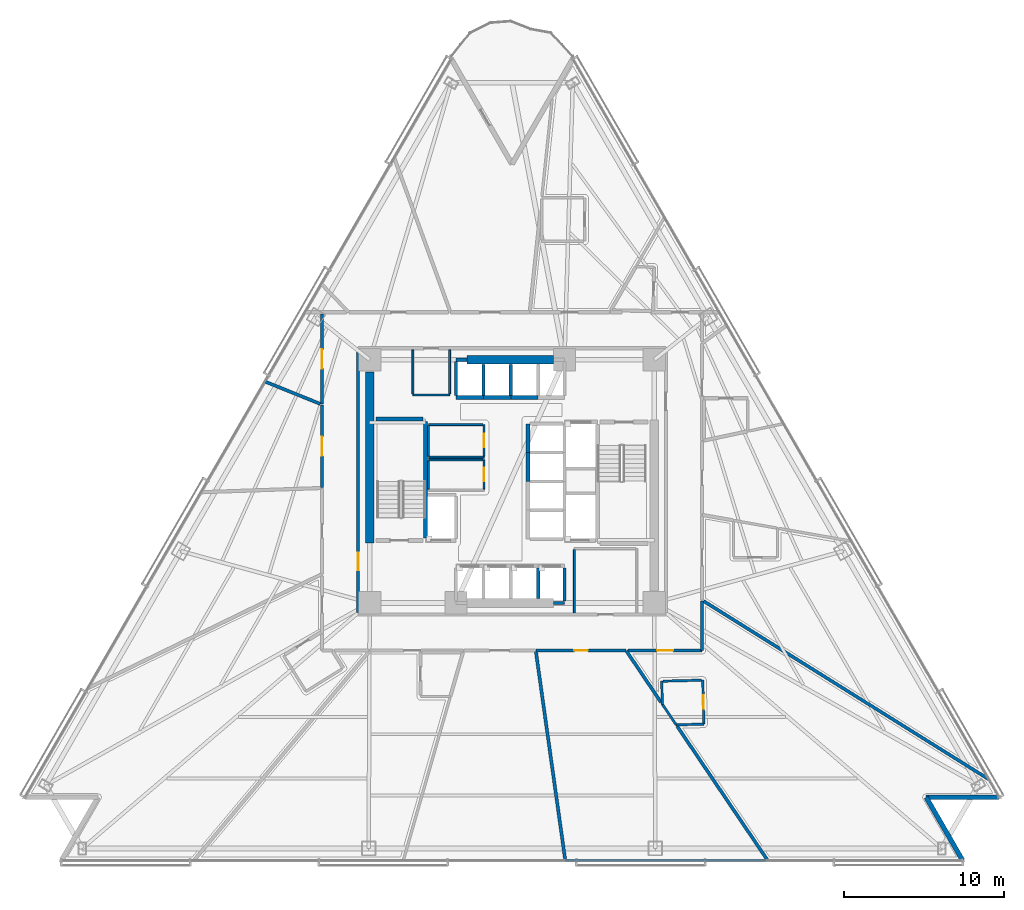
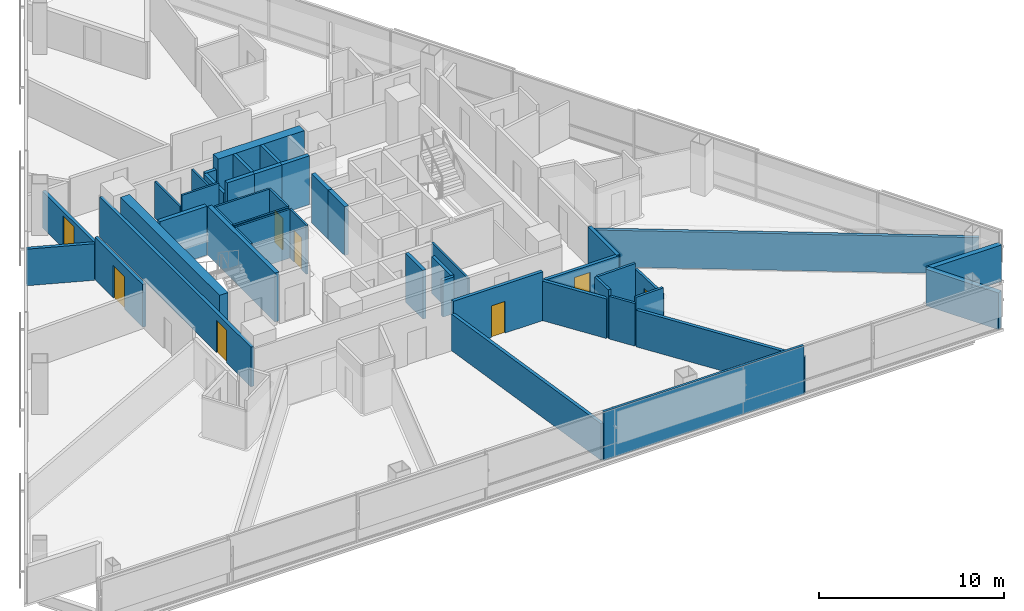
# One storey, part 8 of 17: 46 walls, 8 doors, 8 openings.
"""IFC4 building model written with IfcOpenShell, lengths in metres."""

from ifc_helpers import new_model, si_unit, direction, frame, frame_2d, origin, place, context, subcontext, project, spatial, rectangle, extrude, material, layer, layer_set, type_object, element, fill, save


model = new_model("IFC4")

# Units and contexts
model_context = context("Model", 3, precision=1e-05, world=origin(), true_north=direction((0.0, 1.0)))
body_context = subcontext(model_context, "Body", "Model", "MODEL_VIEW")
ifc_project = project(units=[si_unit("LENGTHUNIT", "METRE"), si_unit("AREAUNIT", "SQUARE_METRE"), si_unit("VOLUMEUNIT", "CUBIC_METRE"), si_unit("PLANEANGLEUNIT", "RADIAN"), si_unit("MASSUNIT", "GRAM", prefix="KILO")], contexts=[model_context])

# Site, building, storey
site_placement = place(None, origin())
site = spatial("IfcSite", under=ifc_project, at=site_placement, CompositionType="ELEMENT")
building_placement = place(site_placement, origin())
building = spatial("IfcBuilding", under=site, at=building_placement, Name="Tharavind Bronze Gate", CompositionType="ELEMENT")
storey_placement = place(building_placement, frame((0.0, 0.0, 35.25)))
storey = spatial("IfcBuildingStorey", under=building, at=storey_placement, Name="L07", CompositionType="ELEMENT", Elevation=35.25)

# Walls
ifc_material_1 = material(Name="Concrete C40/50", Category="concrete")
ifc_layer_1 = layer(ifc_material_1, 0.300048828125)
ifc_layer_set_1 = layer_set([ifc_layer_1], Name="Concrete C40/50")
wall_type_1 = type_object("IfcWallType", Name="EXTERIOR SPANDREL WALL 300", PredefinedType="STANDARD", material=ifc_layer_set_1)
wall_1_placement = place(storey_placement, frame((28.17578125, -23.699951171875, 0.0), z_axis=(0.0, 0.0, 1.0), x_axis=(-0.500014431597, 0.866017071537, 0.0)))
element("IfcWall", 1, at=wall_1_placement, inside=storey, type_object=wall_type_1, Name="L07 notch cheek wall 3A", PredefinedType="STANDARD", context=body_context, shape_type="SweptSolid", body=[
    extrude(rectangle(XDim=4.559814453125, YDim=0.300048828125, at=frame_2d((2.27978515625, 0.0))), origin(), (0.0, 0.0, 1.0), 2.419921875),
])
wall_2_placement = place(storey_placement, frame((25.895751953125, -19.7509765625, 0.0), z_axis=(0.0, 0.0, 1.0), x_axis=(1.0, 0.0, 0.0)))
element("IfcWall", 2, at=wall_2_placement, inside=storey, type_object=wall_type_1, Name="L07 notch cheek wall 3B", PredefinedType="STANDARD", context=body_context, shape_type="SweptSolid", body=[
    extrude(rectangle(XDim=4.56005859375, YDim=0.300048828125, at=frame_2d((2.280029296875, 0.0))), origin(), (0.0, 0.0, 1.0), 2.419921875),
])

# Wall, opening, door
ifc_material_2 = material(Name="Aerated Concrete Block", Category="concrete")
ifc_layer_2 = layer(ifc_material_2, 0.199951171875)
ifc_layer_set_2 = layer_set([ifc_layer_2], Name="Aerated Concrete Block")
wall_type_2 = type_object("IfcWallType", Name="FIRE RATED PARTITION 200", PredefinedType="PARTITIONING", material=ifc_layer_set_2)
wall_3_placement = place(storey_placement, frame((-9.6201171875, 8.199951171875, 0.0), z_axis=(0.0, 0.0, 1.0), x_axis=(0.0, -1.0, 0.0)))
wall_3 = element("IfcWall", 3, at=wall_3_placement, inside=storey, type_object=wall_type_2, Name="L07 west core corridor wall", PredefinedType="PARTITIONING", context=body_context, shape_type="SweptSolid", body=[
    extrude(rectangle(XDim=16.39990234375, YDim=0.199951171875, at=frame_2d((8.199951171875, 0.0))), origin(), (0.0, 0.0, 1.0), 2.6201171875),
])
opening_1_placement = place(wall_3_placement, frame((12.64990234375, 0.0, 0.0)))
opening_1 = element("IfcOpeningElement", 4, at=opening_1_placement, cuts=wall_3, Name="Opening ID01", PredefinedType="OPENING", context=body_context, shape_type="SweptSolid", body=[
    extrude(rectangle(XDim=1.10009765625, YDim=2.14990234375, at=frame_2d((0.550048828125, 1.074951171875))), frame((0.0, 0.11009765625, 0.0), z_axis=(0.0, -1.0, 0.0), x_axis=(1.0, 0.0, 0.0)), (0.0, 0.0, 1.0), 0.219951171875),
])
ifc_material_3 = material(Name="Fire-Rated Steel", Category="steel")
door_type_1 = type_object("IfcDoorType", Name="STAIR CORE FIRE DOOR 1100X2150", OperationType="SINGLE_SWING_LEFT", PredefinedType="DOOR", material=ifc_material_3)
door_1_placement = place(opening_1_placement, frame((1.10009765625, 0.0, 0.0), z_axis=(0.0, 0.0, 1.0), x_axis=(-1.0, 0.0, 0.0)))
door_1 = element("IfcDoor", 5, at=door_1_placement, inside=storey, type_object=door_type_1, Name="L07 south west stair lobby fire door", OperationType="SINGLE_SWING_LEFT", OverallHeight=2.14990234375, OverallWidth=1.10009765625, PredefinedType="DOOR", context=body_context, shape_type="SweptSolid", body=[
    extrude(rectangle(XDim=1.10009765625, YDim=2.14990234375, at=frame_2d((0.550048828125, 1.074951171875))), frame((0.0, 0.02490234375, 0.0), z_axis=(0.0, -1.0, 0.0), x_axis=(1.0, 0.0, 0.0)), (0.0, 0.0, 1.0), 0.050048828125),
])
fill(opening_1, door_1)

# Wall
wall_4_placement = place(storey_placement, frame((3.327880859375, -23.678466796875, 0.0), z_axis=(0.0, 0.0, 1.0), x_axis=(-0.13917575681, 0.990267695483, 0.0)))
element("IfcWall", 6, at=wall_4_placement, inside=storey, type_object=wall_type_2, Name="L07 Public Restrooms Block partition", PredefinedType="PARTITIONING", context=body_context, shape_type="SweptSolid", body=[
    extrude(rectangle(XDim=13.198486328125, YDim=0.199951171875, at=frame_2d((6.59912109375, 0.0))), origin(), (0.0, 0.0, 1.0), 2.419921875),
])

# Wall, opening, door
wall_5_placement = place(storey_placement, frame((1.515625, -10.580078125, 0.0), z_axis=(0.0, 0.0, 1.0), x_axis=(1.0, 0.0, 0.0)))
wall_5 = element("IfcWall", 7, at=wall_5_placement, inside=storey, type_object=wall_type_2, Name="L07 Public Restrooms Block partition", PredefinedType="PARTITIONING", context=body_context, shape_type="SweptSolid", body=[
    extrude(rectangle(XDim=5.607421875, YDim=0.199951171875, at=frame_2d((2.8037109375, 0.0))), origin(), (0.0, 0.0, 1.0), 3.22509765625),
])
opening_2_placement = place(wall_5_placement, frame((2.37890625, 0.0, 0.0)))
opening_2 = element("IfcOpeningElement", 8, at=opening_2_placement, cuts=wall_5, Name="Opening ID06", PredefinedType="OPENING", context=body_context, shape_type="SweptSolid", body=[
    extrude(rectangle(XDim=0.85009765625, YDim=2.10009765625, at=frame_2d((0.425048828125, 1.050048828125))), frame((0.0, 0.11009765625, 0.0), z_axis=(0.0, -1.0, 0.0), x_axis=(1.0, 0.0, 0.0)), (0.0, 0.0, 1.0), 0.219951171875),
])
ifc_material_4 = material(Name="Moisture-Resistant Timber", Category="wood")
door_type_2 = type_object("IfcDoorType", Name="BATHROOM PRIVACY DOOR 850X2100", OperationType="SINGLE_SWING_RIGHT", PredefinedType="DOOR", material=ifc_material_4)
door_2_placement = place(opening_2_placement, origin())
door_2 = element("IfcDoor", 9, at=door_2_placement, inside=storey, type_object=door_type_2, Name="L07 Public Restrooms Block door", OperationType="SINGLE_SWING_RIGHT", OverallHeight=2.10009765625, OverallWidth=0.85009765625, PredefinedType="DOOR", context=body_context, shape_type="SweptSolid", body=[
    extrude(rectangle(XDim=0.85009765625, YDim=2.10009765625, at=frame_2d((0.425048828125, 1.050048828125))), frame((0.0, 0.02490234375, 0.0), z_axis=(0.0, -1.0, 0.0), x_axis=(1.0, 0.0, 0.0)), (0.0, 0.0, 1.0), 0.050048828125),
])
fill(opening_2, door_2)

# Walls
wall_6_placement = place(storey_placement, frame((7.143798828125, -10.591064453125, 0.0), z_axis=(0.0, 0.0, 1.0), x_axis=(0.559171794076, -0.829051810631, 0.0)))
element("IfcWall", 10, at=wall_6_placement, inside=storey, type_object=wall_type_2, Name="L07 Public Restrooms Block partition", PredefinedType="PARTITIONING", context=body_context, shape_type="SweptSolid", body=[
    extrude(rectangle(XDim=3.88623046875, YDim=0.199951171875, at=frame_2d((1.943115234375, 0.0))), origin(), (0.0, 0.0, 1.0), 2.6201171875),
])
wall_7_placement = place(storey_placement, frame((10.321044921875, -15.3017578125, 0.0), z_axis=(0.0, 0.0, 1.0), x_axis=(0.559202536063, -0.829031075208, 0.0)))
element("IfcWall", 11, at=wall_7_placement, inside=storey, type_object=wall_type_2, Name="L07 Public Restrooms Block partition", PredefinedType="PARTITIONING", context=body_context, shape_type="SweptSolid", body=[
    extrude(rectangle(XDim=10.130126953125, YDim=0.199951171875, at=frame_2d((5.06494140625, 0.0))), origin(), (0.0, 0.0, 1.0), 2.419921875),
])

# Wall, opening, door
wall_8_placement = place(storey_placement, frame((-11.8798828125, 10.47509765625, 0.0), z_axis=(0.0, 0.0, 1.0), x_axis=(0.0, -1.0, 0.0)))
wall_8 = element("IfcWall", 12, at=wall_8_placement, inside=storey, type_object=wall_type_2, Name="L07 Hotel Guest Lounge partition", PredefinedType="PARTITIONING", context=body_context, shape_type="SweptSolid", body=[
    extrude(rectangle(XDim=5.63818359375, YDim=0.199951171875, at=frame_2d((2.819091796875, 0.0))), origin(), (0.0, 0.0, 1.0), 2.419921875),
])
opening_3_placement = place(wall_8_placement, frame((2.218994140625, 0.0, 0.0)))
opening_3 = element("IfcOpeningElement", 13, at=opening_3_placement, cuts=wall_8, Name="Opening ID05", PredefinedType="OPENING", context=body_context, shape_type="SweptSolid", body=[
    extrude(rectangle(XDim=1.199951171875, YDim=2.14990234375, at=frame_2d((0.60009765625, 1.074951171875))), frame((0.0, 0.11009765625, 0.0), z_axis=(0.0, -1.0, 0.0), x_axis=(1.0, 0.0, 0.0)), (0.0, 0.0, 1.0), 0.219951171875),
])
ifc_material_5 = material(Name="Acoustic Laminated Glass", Category="glass")
door_type_3 = type_object("IfcDoorType", Name="MEETING ROOM GLAZED DOOR 1200X2150", OperationType="SINGLE_SWING_LEFT", PredefinedType="DOOR", material=ifc_material_5)
door_3_placement = place(opening_3_placement, origin())
door_3 = element("IfcDoor", 14, at=door_3_placement, inside=storey, type_object=door_type_3, Name="L07 Hotel Guest Lounge door", OperationType="SINGLE_SWING_LEFT", OverallHeight=2.14990234375, OverallWidth=1.199951171875, PredefinedType="DOOR", context=body_context, shape_type="SweptSolid", body=[
    extrude(rectangle(XDim=1.199951171875, YDim=2.14990234375, at=frame_2d((0.60009765625, 1.074951171875))), frame((0.0, 0.02490234375, 0.0), z_axis=(0.0, -1.0, 0.0), x_axis=(1.0, 0.0, 0.0)), (0.0, 0.0, 1.0), 0.050048828125),
])
fill(opening_3, door_3)

# Wall
wall_9_placement = place(storey_placement, frame((-11.985107421875, 4.84228515625, 0.0), z_axis=(0.0, 0.0, 1.0), x_axis=(-0.927181137136, 0.374613319223, 0.0)))
element("IfcWall", 15, at=wall_9_placement, inside=storey, type_object=wall_type_2, Name="L07 Hotel Guest Lounge partition", PredefinedType="PARTITIONING", context=body_context, shape_type="SweptSolid", body=[
    extrude(rectangle(XDim=3.70703125, YDim=0.199951171875, at=frame_2d((1.853515625, 0.0))), origin(), (0.0, 0.0, 1.0), 2.419921875),
])

# Wall, opening, door
wall_10_placement = place(storey_placement, frame((-11.8798828125, 4.782958984375, 0.0), z_axis=(0.0, 0.0, 1.0), x_axis=(0.0, -1.0, 0.0)))
wall_10 = element("IfcWall", 16, at=wall_10_placement, inside=storey, type_object=wall_type_2, Name="L07 Hotel Guest Lounge partition", PredefinedType="PARTITIONING", context=body_context, shape_type="SweptSolid", body=[
    extrude(rectangle(XDim=5.173583984375, YDim=0.199951171875, at=frame_2d((2.5869140625, 0.0))), origin(), (0.0, 0.0, 1.0), 2.820068359375),
])
opening_4_placement = place(wall_10_placement, frame((1.987060546875, 0.0, 0.0)))
opening_4 = element("IfcOpeningElement", 17, at=opening_4_placement, cuts=wall_10, Name="Opening ID05", PredefinedType="OPENING", context=body_context, shape_type="SweptSolid", body=[
    extrude(rectangle(XDim=1.199951171875, YDim=2.14990234375, at=frame_2d((0.60009765625, 1.074951171875))), frame((0.0, 0.11009765625, 0.0), z_axis=(0.0, -1.0, 0.0), x_axis=(1.0, 0.0, 0.0)), (0.0, 0.0, 1.0), 0.219951171875),
])
door_4_placement = place(opening_4_placement, origin())
door_4 = element("IfcDoor", 18, at=door_4_placement, inside=storey, type_object=door_type_3, Name="L07 Hotel Guest Lounge door", OperationType="SINGLE_SWING_LEFT", OverallHeight=2.14990234375, OverallWidth=1.199951171875, PredefinedType="DOOR", context=body_context, shape_type="SweptSolid", body=[
    extrude(rectangle(XDim=1.199951171875, YDim=2.14990234375, at=frame_2d((0.60009765625, 1.074951171875))), frame((0.0, 0.02490234375, 0.0), z_axis=(0.0, -1.0, 0.0), x_axis=(1.0, 0.0, 0.0)), (0.0, 0.0, 1.0), 0.050048828125),
])
fill(opening_4, door_4)

# Walls
wall_11_placement = place(storey_placement, frame((11.8798828125, -10.579345703125, 0.0), z_axis=(0.0, 0.0, 1.0), x_axis=(0.0, 1.0, 0.0)))
element("IfcWall", 19, at=wall_11_placement, inside=storey, type_object=wall_type_2, Name="L07 Deluxe Hotel Suite partition", PredefinedType="PARTITIONING", context=body_context, shape_type="SweptSolid", body=[
    extrude(rectangle(XDim=3.11083984375, YDim=0.199951171875, at=frame_2d((1.555419921875, 0.0))), origin(), (0.0, 0.0, 1.0), 2.6201171875),
])
wall_12_placement = place(storey_placement, frame((11.985107421875, -7.489013671875, 0.0), z_axis=(0.0, 0.0, 1.0), x_axis=(0.848049879615, -0.529916410092, 0.0)))
element("IfcWall", 20, at=wall_12_placement, inside=storey, type_object=wall_type_2, Name="L07 Deluxe Hotel Suite partition", PredefinedType="PARTITIONING", context=body_context, shape_type="SweptSolid", body=[
    extrude(rectangle(XDim=21.00732421875, YDim=0.199951171875, at=frame_2d((10.503662109375, 0.0))), origin(), (0.0, 0.0, 1.0), 2.419921875),
])

# Wall, opening, door
wall_13_placement = place(storey_placement, frame((7.262939453125, -10.580078125, 0.0), z_axis=(0.0, 0.0, 1.0), x_axis=(1.0, 0.0, 0.0)))
wall_13 = element("IfcWall", 21, at=wall_13_placement, inside=storey, type_object=wall_type_2, Name="L07 Deluxe Hotel Suite partition", PredefinedType="PARTITIONING", context=body_context, shape_type="SweptSolid", body=[
    extrude(rectangle(XDim=4.616455078125, YDim=0.199951171875, at=frame_2d((2.30810546875, 0.0))), origin(), (0.0, 0.0, 1.0), 2.6201171875),
])
opening_5_placement = place(wall_13_placement, frame((1.80810546875, 0.0, 0.0)))
opening_5 = element("IfcOpeningElement", 22, at=opening_5_placement, cuts=wall_13, Name="Opening ID03", PredefinedType="OPENING", context=body_context, shape_type="SweptSolid", body=[
    extrude(rectangle(XDim=1.0, YDim=2.14990234375, at=frame_2d((0.5, 1.074951171875))), frame((0.0, 0.11009765625, 0.0), z_axis=(0.0, -1.0, 0.0), x_axis=(1.0, 0.0, 0.0)), (0.0, 0.0, 1.0), 0.219951171875),
])
ifc_material_6 = material(Name="Solid Timber Veneer", Category="wood")
door_type_4 = type_object("IfcDoorType", Name="HOTEL SUITE ENTRANCE DOOR 1000X2150", OperationType="SINGLE_SWING_LEFT", PredefinedType="DOOR", material=ifc_material_6)
door_5_placement = place(opening_5_placement, origin())
door_5 = element("IfcDoor", 23, at=door_5_placement, inside=storey, type_object=door_type_4, Name="L07 Deluxe Hotel Suite door", OperationType="SINGLE_SWING_LEFT", OverallHeight=2.14990234375, OverallWidth=1.0, PredefinedType="DOOR", context=body_context, shape_type="SweptSolid", body=[
    extrude(rectangle(XDim=1.0, YDim=2.14990234375, at=frame_2d((0.5, 1.074951171875))), frame((0.0, 0.02490234375, 0.0), z_axis=(0.0, -1.0, 0.0), x_axis=(1.0, 0.0, 0.0)), (0.0, 0.0, 1.0), 0.050048828125),
])
fill(opening_5, door_5)

# Wall
ifc_material_7 = material(Name="Metal Stud Gypsum Partition", Category="gypsum")
ifc_layer_3 = layer(ifc_material_7, 0.1201171875)
ifc_layer_set_3 = layer_set([ifc_layer_3], Name="Metal Stud Gypsum Partition")
wall_type_3 = type_object("IfcWallType", Name="INTERIOR PARTITION WALL 120", PredefinedType="PARTITIONING", material=ifc_layer_set_3)
wall_14_placement = place(storey_placement, frame((-5.219970703125, 1.52001953125, 0.0), z_axis=(0.0, 0.0, 1.0), x_axis=(1.0, 0.0, 0.0)))
element("IfcWall", 24, at=wall_14_placement, inside=storey, type_object=wall_type_3, Name="L07 Cleaner Store Room partition 1", PredefinedType="PARTITIONING", context=body_context, shape_type="SweptSolid", body=[
    extrude(rectangle(XDim=3.469970703125, YDim=0.1201171875, at=frame_2d((1.73486328125, 0.0))), origin(), (0.0, 0.0, 1.0), 3.22509765625),
])

# Wall, opening, door
wall_15_placement = place(storey_placement, frame((-1.75, 1.5849609375, 0.0), z_axis=(0.0, 0.0, 1.0), x_axis=(0.0, 1.0, 0.0)))
wall_15 = element("IfcWall", 25, at=wall_15_placement, inside=storey, type_object=wall_type_3, Name="L07 Cleaner Store Room partition 2", PredefinedType="PARTITIONING", context=body_context, shape_type="SweptSolid", body=[
    extrude(rectangle(XDim=1.965087890625, YDim=0.1201171875, at=frame_2d((0.982421875, 0.0))), origin(), (0.0, 0.0, 1.0), 3.22509765625),
])
opening_6_placement = place(wall_15_placement, frame((0.556884765625, 0.0, 0.0)))
opening_6 = element("IfcOpeningElement", 26, at=opening_6_placement, cuts=wall_15, Name="Opening ID06", PredefinedType="OPENING", context=body_context, shape_type="SweptSolid", body=[
    extrude(rectangle(XDim=0.85009765625, YDim=2.10009765625, at=frame_2d((0.425048828125, 1.050048828125))), frame((0.0, 0.07005859375, 0.0), z_axis=(0.0, -1.0, 0.0), x_axis=(1.0, 0.0, 0.0)), (0.0, 0.0, 1.0), 0.1401171875),
])
door_6_placement = place(opening_6_placement, frame((0.85009765625, 0.0, 0.0), z_axis=(0.0, 0.0, 1.0), x_axis=(-1.0, 0.0, 0.0)))
door_6 = element("IfcDoor", 27, at=door_6_placement, inside=storey, type_object=door_type_2, Name="L07 Cleaner Store Room door", OperationType="SINGLE_SWING_RIGHT", OverallHeight=2.10009765625, OverallWidth=0.85009765625, PredefinedType="DOOR", context=body_context, shape_type="SweptSolid", body=[
    extrude(rectangle(XDim=0.85009765625, YDim=2.10009765625, at=frame_2d((0.425048828125, 1.050048828125))), frame((0.0, 0.02490234375, 0.0), z_axis=(0.0, -1.0, 0.0), x_axis=(1.0, 0.0, 0.0)), (0.0, 0.0, 1.0), 0.050048828125),
])
fill(opening_6, door_6)

# Walls
wall_16_placement = place(storey_placement, frame((-1.81494140625, 3.550048828125, 0.0), z_axis=(0.0, 0.0, 1.0), x_axis=(-1.0, 0.0, 0.0)))
element("IfcWall", 28, at=wall_16_placement, inside=storey, type_object=wall_type_3, Name="L07 Cleaner Store Room partition 3", PredefinedType="PARTITIONING", context=body_context, shape_type="SweptSolid", body=[
    extrude(rectangle(XDim=3.405029296875, YDim=0.1201171875, at=frame_2d((1.70263671875, 0.0))), origin(), (0.0, 0.0, 1.0), 3.22509765625),
])
wall_17_placement = place(storey_placement, frame((-5.219970703125, 3.485107421875, 0.0), z_axis=(0.0, 0.0, 1.0), x_axis=(0.0, -1.0, 0.0)))
element("IfcWall", 29, at=wall_17_placement, inside=storey, type_object=wall_type_3, Name="L07 Cleaner Store Room partition 4", PredefinedType="PARTITIONING", context=body_context, shape_type="SweptSolid", body=[
    extrude(rectangle(XDim=1.900146484375, YDim=0.1201171875, at=frame_2d((0.9501953125, 0.0))), origin(), (0.0, 0.0, 1.0), 3.22509765625),
])

# Wall, opening, door
wall_18_placement = place(storey_placement, frame((-1.75, -0.485107421875, 0.0), z_axis=(0.0, 0.0, 1.0), x_axis=(0.0, 1.0, 0.0)))
wall_18 = element("IfcWall", 30, at=wall_18_placement, inside=storey, type_object=wall_type_3, Name="L07 Electrical Switch Room partition 2", PredefinedType="PARTITIONING", context=body_context, shape_type="SweptSolid", body=[
    extrude(rectangle(XDim=1.8251953125, YDim=0.1201171875, at=frame_2d((0.91259765625, 0.0))), origin(), (0.0, 0.0, 1.0), 3.22509765625),
])
opening_7_placement = place(wall_18_placement, frame((0.488037109375, 0.0, 0.0)))
opening_7 = element("IfcOpeningElement", 31, at=opening_7_placement, cuts=wall_18, Name="Opening ID06", PredefinedType="OPENING", context=body_context, shape_type="SweptSolid", body=[
    extrude(rectangle(XDim=0.85009765625, YDim=2.10009765625, at=frame_2d((0.425048828125, 1.050048828125))), frame((0.0, 0.07005859375, 0.0), z_axis=(0.0, -1.0, 0.0), x_axis=(1.0, 0.0, 0.0)), (0.0, 0.0, 1.0), 0.1401171875),
])
door_7_placement = place(opening_7_placement, frame((0.85009765625, 0.0, 0.0), z_axis=(0.0, 0.0, 1.0), x_axis=(-1.0, 0.0, 0.0)))
door_7 = element("IfcDoor", 32, at=door_7_placement, inside=storey, type_object=door_type_2, Name="L07 Electrical Switch Room door", OperationType="SINGLE_SWING_RIGHT", OverallHeight=2.10009765625, OverallWidth=0.85009765625, PredefinedType="DOOR", context=body_context, shape_type="SweptSolid", body=[
    extrude(rectangle(XDim=0.85009765625, YDim=2.10009765625, at=frame_2d((0.425048828125, 1.050048828125))), frame((0.0, 0.02490234375, 0.0), z_axis=(0.0, -1.0, 0.0), x_axis=(1.0, 0.0, 0.0)), (0.0, 0.0, 1.0), 0.050048828125),
])
fill(opening_7, door_7)

# Walls
wall_19_placement = place(storey_placement, frame((-1.81494140625, 1.340087890625, 0.0), z_axis=(0.0, 0.0, 1.0), x_axis=(-1.0, 0.0, 0.0)))
element("IfcWall", 33, at=wall_19_placement, inside=storey, type_object=wall_type_3, Name="L07 Electrical Switch Room partition 3", PredefinedType="PARTITIONING", context=body_context, shape_type="SweptSolid", body=[
    extrude(rectangle(XDim=3.405029296875, YDim=0.1201171875, at=frame_2d((1.70263671875, 0.0))), origin(), (0.0, 0.0, 1.0), 3.22509765625),
])
wall_20_placement = place(storey_placement, frame((-5.219970703125, 1.27490234375, 0.0), z_axis=(0.0, 0.0, 1.0), x_axis=(0.0, -1.0, 0.0)))
element("IfcWall", 34, at=wall_20_placement, inside=storey, type_object=wall_type_3, Name="L07 Electrical Switch Room partition 4", PredefinedType="PARTITIONING", context=body_context, shape_type="SweptSolid", body=[
    extrude(rectangle(XDim=1.760009765625, YDim=0.1201171875, at=frame_2d((0.8798828125, 0.0))), origin(), (0.0, 0.0, 1.0), 3.22509765625),
])
wall_21_placement = place(storey_placement, frame((-6.199951171875, 5.39990234375, 0.0), z_axis=(0.0, 0.0, 1.0), x_axis=(1.0, 0.0, 0.0)))
element("IfcWall", 35, at=wall_21_placement, inside=storey, type_object=wall_type_3, Name="L07 Electrical Switch Cupboard partition 1", PredefinedType="PARTITIONING", context=body_context, shape_type="SweptSolid", body=[
    extrude(rectangle(XDim=2.300048828125, YDim=0.1201171875, at=frame_2d((1.14990234375, 0.0))), origin(), (0.0, 0.0, 1.0), 3.22509765625),
])
for number, where, z_axis, x_axis, name in (
    (36, (-3.89990234375, 5.465087890625, 0.0), (0.0, 0.0, 1.0), (0.0, 1.0, 0.0), "L07 Electrical Switch Cupboard partition 2"),
    (37, (-6.199951171875, 8.215087890625, 0.0), (0.0, 0.0, 1.0), (0.0, -1.0, 0.0), "L07 Electrical Switch Cupboard partition 4"),
):
    element("IfcWall", number, at=place(storey_placement, frame(where, z_axis=z_axis, x_axis=x_axis)), inside=storey, type_object=wall_type_3, Name=name, PredefinedType="PARTITIONING", context=body_context, shape_type="SweptSolid", body=[
        extrude(rectangle(XDim=2.75, YDim=0.1201171875, at=frame_2d((1.375, 0.0))), origin(), (0.0, 0.0, 1.0), 2.419921875),
    ])
wall_22_placement = place(storey_placement, frame((3.89990234375, -4.264892578125, 0.0), z_axis=(0.0, 0.0, 1.0), x_axis=(0.0, -1.0, 0.0)))
element("IfcWall", 38, at=wall_22_placement, inside=storey, type_object=wall_type_3, Name="L07 Telecom Metering Room partition 4", PredefinedType="PARTITIONING", context=body_context, shape_type="SweptSolid", body=[
    extrude(rectangle(XDim=3.9501953125, YDim=0.1201171875, at=frame_2d((1.97509765625, 0.0))), origin(), (0.0, 0.0, 1.0), 2.419921875),
])

# Wall, opening, door
ifc_material_8 = material(Name="Twin Stud Acoustic Gypsum", Category="gypsum")
ifc_layer_4 = layer(ifc_material_8, 0.14990234375)
ifc_layer_set_4 = layer_set([ifc_layer_4], Name="Twin Stud Acoustic Gypsum")
wall_type_4 = type_object("IfcWallType", Name="INTERIOR PARTITION WALL 150", PredefinedType="PARTITIONING", material=ifc_layer_set_4)
wall_23_placement = place(storey_placement, frame((11.927490234375, -12.429443359375, 0.0), z_axis=(0.0, 0.0, 1.0), x_axis=(0.025746347005, -0.999668507864, 0.0)))
wall_23 = element("IfcWall", 39, at=wall_23_placement, inside=storey, type_object=wall_type_4, Name="L07 En-Suite Bathroom partition", PredefinedType="PARTITIONING", context=body_context, shape_type="SweptSolid", body=[
    extrude(rectangle(XDim=2.75, YDim=0.14990234375, at=frame_2d((1.375, 0.0))), origin(), (0.0, 0.0, 1.0), 2.820068359375),
])
opening_8_placement = place(wall_23_placement, frame((0.949951171875, 0.0, 0.0)))
opening_8 = element("IfcOpeningElement", 40, at=opening_8_placement, cuts=wall_23, Name="Opening ID06", PredefinedType="OPENING", context=body_context, shape_type="SweptSolid", body=[
    extrude(rectangle(XDim=0.85009765625, YDim=2.10009765625, at=frame_2d((0.425048828125, 1.050048828125))), frame((0.0, 0.084951171875, 0.0), z_axis=(0.0, -1.0, 0.0), x_axis=(1.0, 0.0, 0.0)), (0.0, 0.0, 1.0), 0.16990234375),
])
door_8_placement = place(opening_8_placement, origin())
door_8 = element("IfcDoor", 41, at=door_8_placement, inside=storey, type_object=door_type_2, Name="L07 En-Suite Bathroom door", OperationType="SINGLE_SWING_RIGHT", OverallHeight=2.10009765625, OverallWidth=0.85009765625, PredefinedType="DOOR", context=body_context, shape_type="SweptSolid", body=[
    extrude(rectangle(XDim=0.85009765625, YDim=2.10009765625, at=frame_2d((0.425048828125, 1.050048828125))), frame((0.0, 0.02490234375, 0.0), z_axis=(0.0, -1.0, 0.0), x_axis=(1.0, 0.0, 0.0)), (0.0, 0.0, 1.0), 0.050048828125),
])
fill(opening_8, door_8)

# Walls
wall_24_placement = place(storey_placement, frame((11.998291015625, -15.178466796875, 0.0), z_axis=(0.0, 0.0, 1.0), x_axis=(-0.999670410654, -0.025672359918, 0.0)))
element("IfcWall", 42, at=wall_24_placement, inside=storey, type_object=wall_type_4, Name="L07 En-Suite Bathroom partition", PredefinedType="PARTITIONING", context=body_context, shape_type="SweptSolid", body=[
    extrude(rectangle(XDim=1.730712890625, YDim=0.14990234375, at=frame_2d((0.865234375, 0.0))), origin(), (0.0, 0.0, 1.0), 3.22509765625),
])
wall_25_placement = place(storey_placement, frame((10.26806640625, -15.222900390625, 0.0), z_axis=(0.0, 0.0, 1.0), x_axis=(-0.559229675695, 0.82901276819, 0.0)))
element("IfcWall", 43, at=wall_25_placement, inside=storey, type_object=wall_type_4, Name="L07 En-Suite Bathroom partition", PredefinedType="PARTITIONING", context=body_context, shape_type="SweptSolid", body=[
    extrude(rectangle(XDim=1.552001953125, YDim=0.14990234375, at=frame_2d((0.77587890625, 0.0))), origin(), (0.0, 0.0, 1.0), 2.820068359375),
])
wall_26_placement = place(storey_placement, frame((9.400146484375, -13.936279296875, 0.0), z_axis=(0.0, 0.0, 1.0), x_axis=(-0.025745445057, 0.999668531094, 0.0)))
element("IfcWall", 44, at=wall_26_placement, inside=storey, type_object=wall_type_4, Name="L07 En-Suite Bathroom partition", PredefinedType="PARTITIONING", context=body_context, shape_type="SweptSolid", body=[
    extrude(rectangle(XDim=1.44140625, YDim=0.14990234375, at=frame_2d((0.720703125, 0.0))), origin(), (0.0, 0.0, 1.0), 3.22509765625),
])
wall_27_placement = place(storey_placement, frame((9.443115234375, -12.493408203125, 0.0), z_axis=(0.0, 0.0, 1.0), x_axis=(0.999667618691, 0.025780848324, 0.0)))
element("IfcWall", 45, at=wall_27_placement, inside=storey, type_object=wall_type_4, Name="L07 En-Suite Bathroom partition", PredefinedType="PARTITIONING", context=body_context, shape_type="SweptSolid", body=[
    extrude(rectangle(XDim=2.4052734375, YDim=0.14990234375, at=frame_2d((1.20263671875, 0.0))), origin(), (0.0, 0.0, 1.0), 3.22509765625),
])
wall_28_placement = place(storey_placement, frame((15.859130859375, -23.699951171875, 0.0), z_axis=(0.0, 0.0, 1.0), x_axis=(-1.0, 0.0, 0.0)))
element("IfcWall", 46, at=wall_28_placement, inside=storey, type_object=wall_type_4, Name="L07 Public Restrooms Block partition", PredefinedType="PARTITIONING", context=body_context, shape_type="SweptSolid", body=[
    extrude(rectangle(XDim=12.506591796875, YDim=0.14990234375, at=frame_2d((6.25341796875, 0.0))), origin(), (0.0, 0.0, 1.0), 3.22509765625),
])
ifc_material_9 = material(Name="Concrete C50/60", Category="concrete")
ifc_layer_5 = layer(ifc_material_9, 0.25)
ifc_layer_set_5 = layer_set([ifc_layer_5], Name="Concrete C50/60")
wall_type_5 = type_object("IfcWallType", Name="RC CORE SHEAR WALL 250", PredefinedType="SHEAR", material=ifc_layer_set_5)
wall_29_placement = place(storey_placement, frame((-5.39990234375, -3.550048828125, 0.0), z_axis=(0.0, 0.0, 1.0), x_axis=(0.0, 1.0, 0.0)))
element("IfcWall", 47, at=wall_29_placement, inside=storey, type_object=wall_type_5, Name="L07 ST1 shaft east wall", PredefinedType="SHEAR", context=body_context, shape_type="SweptSolid", body=[
    extrude(rectangle(XDim=7.300048828125, YDim=0.25, at=frame_2d((3.64990234375, 0.0))), origin(), (0.0, 0.0, 1.0), 3.22509765625),
])
wall_30_placement = place(storey_placement, frame((-8.5, 3.89990234375, 0.0), z_axis=(0.0, 0.0, 1.0), x_axis=(1.0, 0.0, 0.0)))
element("IfcWall", 48, at=wall_30_placement, inside=storey, type_object=wall_type_5, Name="L07 ST1 shaft north wall", PredefinedType="SHEAR", context=body_context, shape_type="SweptSolid", body=[
    extrude(rectangle(XDim=2.949951171875, YDim=0.25, at=frame_2d((1.47509765625, 0.0))), origin(), (0.0, 0.0, 1.0), 3.22509765625),
])
wall_31_placement = place(storey_placement, frame((-3.5, 5.25, 0.0), z_axis=(0.0, 0.0, 1.0), x_axis=(1.0, 0.0, 0.0)))
element("IfcWall", 49, at=wall_31_placement, inside=storey, type_object=wall_type_5, Name="L07 lift PL5 shaft front wall", PredefinedType="SHEAR", context=body_context, shape_type="SweptSolid", body=[
    extrude(rectangle(XDim=1.71240234375, YDim=0.25, at=frame_2d((0.856201171875, 0.0))), origin(), (0.0, 0.0, 1.0), 3.22509765625),
])
wall_32_placement = place(storey_placement, frame((-1.78759765625, 5.25, 0.0), z_axis=(0.0, 0.0, 1.0), x_axis=(1.0, 0.0, 0.0)))
element("IfcWall", 50, at=wall_32_placement, inside=storey, type_object=wall_type_5, Name="L07 lift PL6 shaft front wall", PredefinedType="SHEAR", context=body_context, shape_type="SweptSolid", body=[
    extrude(rectangle(XDim=1.712646484375, YDim=0.25, at=frame_2d((0.8564453125, 0.0))), origin(), (0.0, 0.0, 1.0), 3.22509765625),
])
wall_33_placement = place(storey_placement, frame((-0.074951171875, 5.25, 0.0), z_axis=(0.0, 0.0, 1.0), x_axis=(1.0, 0.0, 0.0)))
element("IfcWall", 51, at=wall_33_placement, inside=storey, type_object=wall_type_5, Name="L07 lift PL7 shaft front wall", PredefinedType="SHEAR", context=body_context, shape_type="SweptSolid", body=[
    extrude(rectangle(XDim=1.71240234375, YDim=0.25, at=frame_2d((0.856201171875, 0.0))), origin(), (0.0, 0.0, 1.0), 3.22509765625),
])
for number, where, z_axis, x_axis, name in (
    (52, (1.0, 0.0, 0.0), (0.0, 0.0, 1.0), (0.0, 1.0, 0.0), "L07 lift PL11 shaft front wall"),
    (53, (1.0, 1.800048828125, 0.0), (0.0, 0.0, 1.0), (0.0, 1.0, 0.0), "L07 lift PL12 shaft front wall"),
):
    element("IfcWall", number, at=place(storey_placement, frame(where, z_axis=z_axis, x_axis=x_axis)), inside=storey, type_object=wall_type_5, Name=name, PredefinedType="SHEAR", context=body_context, shape_type="SweptSolid", body=[
        extrude(rectangle(XDim=1.800048828125, YDim=0.25, at=frame_2d((0.89990234375, 0.0))), origin(), (0.0, 0.0, 1.0), 3.22509765625),
    ])
ifc_material_10 = material(Name="Concrete C60/75", Category="concrete")
ifc_layer_6 = layer(ifc_material_10, 0.550048828125)
ifc_layer_set_6 = layer_set([ifc_layer_6], Name="Concrete C60/75")
wall_type_6 = type_object("IfcWallType", Name="RC CORE SHEAR WALL 550", PredefinedType="SHEAR", material=ifc_layer_set_6)
wall_34_placement = place(storey_placement, frame((-2.800048828125, 7.60009765625, 0.0), z_axis=(0.0, 0.0, 1.0), x_axis=(1.0, 0.0, 0.0)))
element("IfcWall", 54, at=wall_34_placement, inside=storey, type_object=wall_type_6, Name="L07 north core shear wall", PredefinedType="SHEAR", context=body_context, shape_type="SweptSolid", body=[
    extrude(rectangle(XDim=5.380126953125, YDim=0.550048828125, at=frame_2d((2.68994140625, 0.0))), origin(), (0.0, 0.0, 1.0), 3.22509765625),
])
wall_35_placement = place(storey_placement, frame((-8.89990234375, -3.85009765625, 0.0), z_axis=(0.0, 0.0, 1.0), x_axis=(0.0, 1.0, 0.0)))
element("IfcWall", 55, at=wall_35_placement, inside=storey, type_object=wall_type_6, Name="L07 west core shear wall", PredefinedType="SHEAR", context=body_context, shape_type="SweptSolid", body=[
    extrude(rectangle(XDim=10.7001953125, YDim=0.550048828125, at=frame_2d((5.35009765625, 0.0))), origin(), (0.0, 0.0, 1.0), 3.22509765625),
])
ifc_layer_7 = layer(ifc_material_1, 0.199951171875)
ifc_layer_set_7 = layer_set([ifc_layer_7], Name="Concrete C40/50")
wall_type_7 = type_object("IfcWallType", Name="SHAFT ENCLOSURE WALL 200", PredefinedType="PARTITIONING", material=ifc_layer_set_7)
wall_36_placement = place(storey_placement, frame((1.637451171875, -7.320068359375, 0.0), z_axis=(0.0, 0.0, 1.0), x_axis=(0.0, 1.0, 0.0)))
element("IfcWall", 56, at=wall_36_placement, inside=storey, type_object=wall_type_7, Name="L07 lift PL3 shaft E enclosure wall", PredefinedType="PARTITIONING", context=body_context, shape_type="SweptSolid", body=[
    extrude(rectangle(XDim=1.89013671875, YDim=0.199951171875, at=frame_2d((0.945068359375, 0.0))), origin(), (0.0, 0.0, 1.0), 3.22509765625),
])
wall_37_placement = place(storey_placement, frame((2.580078125, -7.60009765625, 0.0), z_axis=(0.0, 0.0, 1.0), x_axis=(1.0, 0.0, 0.0)))
element("IfcWall", 57, at=wall_37_placement, inside=storey, type_object=wall_type_7, Name="L07 lift PL4 shaft S enclosure wall", PredefinedType="PARTITIONING", context=body_context, shape_type="SweptSolid", body=[
    extrude(rectangle(XDim=0.699951171875, YDim=0.199951171875, at=frame_2d((0.35009765625, 0.0))), origin(), (0.0, 0.0, 1.0), 2.419921875),
])
wall_38_placement = place(storey_placement, frame((3.280029296875, -7.4951171875, 0.0), z_axis=(0.0, 0.0, 1.0), x_axis=(0.0, 1.0, 0.0)))
element("IfcWall", 58, at=wall_38_placement, inside=storey, type_object=wall_type_7, Name="L07 lift PL4 shaft E enclosure wall", PredefinedType="PARTITIONING", context=body_context, shape_type="SweptSolid", body=[
    extrude(rectangle(XDim=2.065185546875, YDim=0.199951171875, at=frame_2d((1.03271484375, 0.0))), origin(), (0.0, 0.0, 1.0), 2.419921875),
])
wall_39_placement = place(storey_placement, frame((-3.5, 7.60009765625, 0.0), z_axis=(0.0, 0.0, 1.0), x_axis=(1.0, 0.0, 0.0)))
element("IfcWall", 59, at=wall_39_placement, inside=storey, type_object=wall_type_7, Name="L07 lift PL5 shaft N enclosure wall", PredefinedType="PARTITIONING", context=body_context, shape_type="SweptSolid", body=[
    extrude(rectangle(XDim=0.699951171875, YDim=0.199951171875, at=frame_2d((0.35009765625, 0.0))), origin(), (0.0, 0.0, 1.0), 2.419921875),
])
wall_40_placement = place(storey_placement, frame((-3.5, 5.3798828125, 0.0), z_axis=(0.0, 0.0, 1.0), x_axis=(0.0, 1.0, 0.0)))
element("IfcWall", 60, at=wall_40_placement, inside=storey, type_object=wall_type_7, Name="L07 lift PL5 shaft W enclosure wall", PredefinedType="PARTITIONING", context=body_context, shape_type="SweptSolid", body=[
    extrude(rectangle(XDim=2.115234375, YDim=0.199951171875, at=frame_2d((1.0576171875, 0.0))), origin(), (0.0, 0.0, 1.0), 2.419921875),
])
for number, where, z_axis, x_axis, name in (
    (61, (-1.78759765625, 5.3798828125, 0.0), (0.0, 0.0, 1.0), (0.0, 1.0, 0.0), "L07 lift PL5 shaft E enclosure wall"),
    (62, (-0.074951171875, 5.3798828125, 0.0), (0.0, 0.0, 1.0), (0.0, 1.0, 0.0), "L07 lift PL6 shaft E enclosure wall"),
):
    element("IfcWall", number, at=place(storey_placement, frame(where, z_axis=z_axis, x_axis=x_axis)), inside=storey, type_object=wall_type_7, Name=name, PredefinedType="PARTITIONING", context=body_context, shape_type="SweptSolid", body=[
        extrude(rectangle(XDim=1.940185546875, YDim=0.199951171875, at=frame_2d((0.97021484375, 0.0))), origin(), (0.0, 0.0, 1.0), 3.22509765625),
    ])

save(model, "model.ifc")
